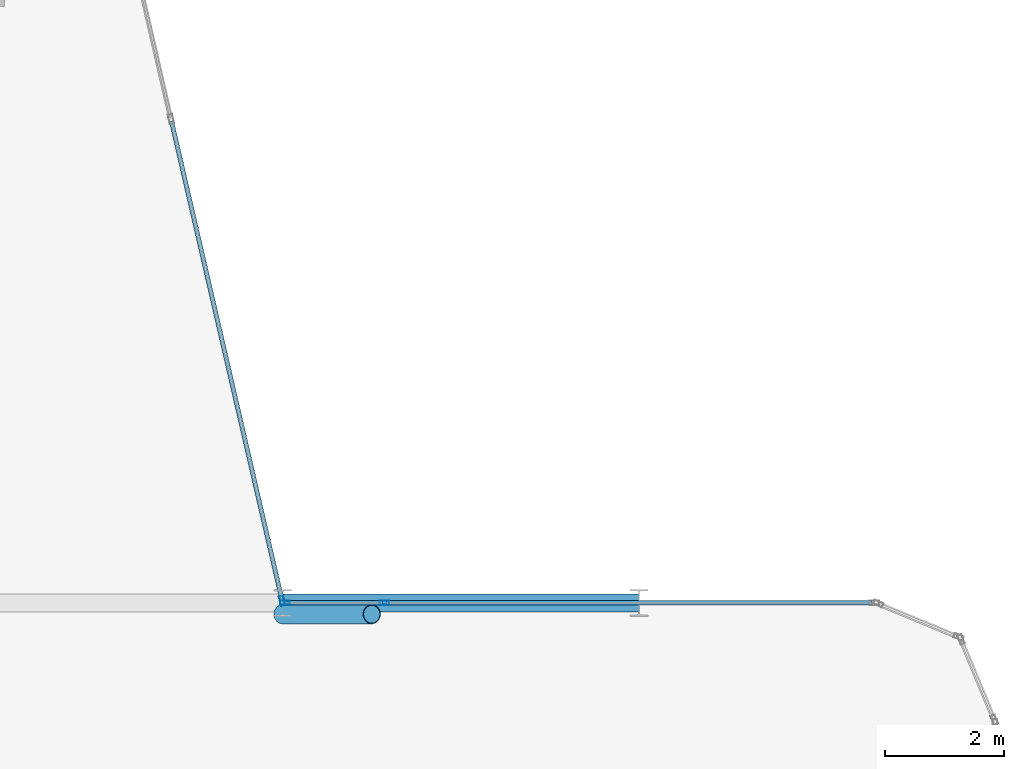
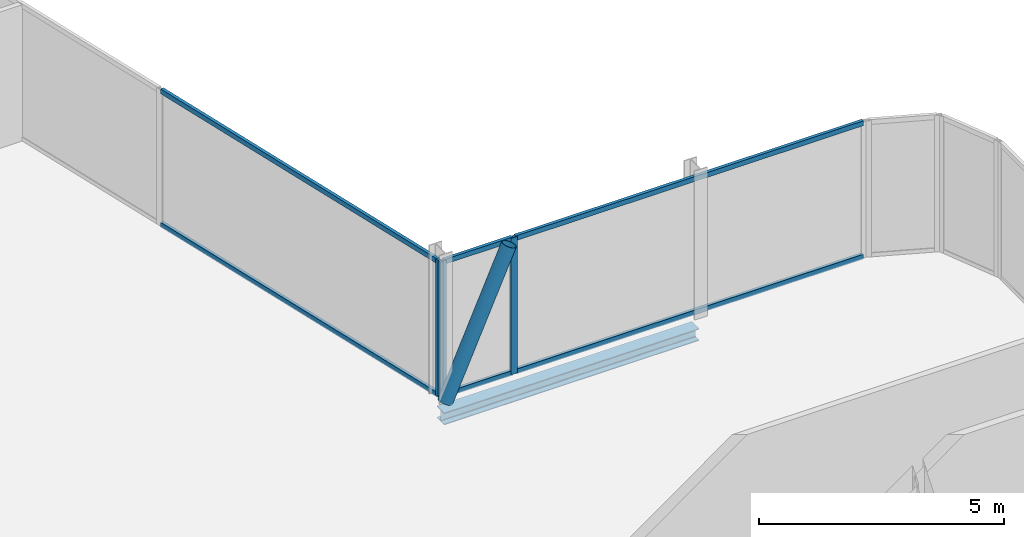
# One storey, part 14 of 29: 10 members, 1 beam, 3 elements without a shape of their own.
"""IFC4 building model written with IfcOpenShell, lengths in metres."""

from ifc_helpers import new_model, si_unit, direction, frame, origin, origin_2d, place, context, subcontext, project, spatial, hollow_rectangle, hollow_circle, i_section, extrude, material, layer, layer_set, material_profile, profile_set, type_object, element, aggregate, save


model = new_model("IFC4")

# Units and contexts
model_context = context("Model", 3, precision=1e-05, world=origin(), true_north=direction((0.0, 1.0)))
body_context = subcontext(model_context, "Body", "Model", "MODEL_VIEW")
ifc_project = project(units=[si_unit("LENGTHUNIT", "METRE"), si_unit("AREAUNIT", "SQUARE_METRE"), si_unit("VOLUMEUNIT", "CUBIC_METRE"), si_unit("PLANEANGLEUNIT", "RADIAN"), si_unit("MASSUNIT", "GRAM", prefix="KILO")], contexts=[model_context])

# Site, building, storey
site_placement = place(None, origin())
site = spatial("IfcSite", under=ifc_project, at=site_placement, CompositionType="ELEMENT")
building_placement = place(site_placement, origin())
building = spatial("IfcBuilding", under=site, at=building_placement, Name="Keshet Zoharim Tower", CompositionType="ELEMENT")
storey_placement = place(building_placement, frame((0.0, 0.0, 169.10009765625)))
storey = spatial("IfcBuildingStorey", under=building, at=storey_placement, Name="L41", CompositionType="ELEMENT", Elevation=169.10009765625)

# Beam
ifc_material_1 = material(Name="Steel S355", Category="steel")
ifc_material_profile_1 = material_profile(ifc_material_1, i_section(OverallWidth=0.300048828125, OverallDepth=0.300048828125, WebThickness=0.010986328125, FlangeThickness=0.01904296875, FilletRadius=0.027099609375, at=origin_2d()), Name="HEB300")
ifc_profile_set_1 = profile_set([ifc_material_profile_1], Name="Steel S355")
beam_type = type_object("IfcBeamType", Name="BM-PRI-HB300", PredefinedType="BEAM", material=ifc_profile_set_1)
beam_placement = place(storey_placement, frame((45.0, 27.89990234375, -0.460205078125), z_axis=(1.0, 0.0, 0.0), x_axis=(0.0, 1.0, 0.0)))
element("IfcBeam", 1, at=beam_placement, inside=storey, type_object=beam_type, Name="L41 Primary Girder X-016", PredefinedType="BEAM", context=body_context, shape_type="SweptSolid", body=[
    extrude(i_section(OverallWidth=0.300048828125, OverallDepth=0.300048828125, WebThickness=0.010986328125, FlangeThickness=0.01904296875, FilletRadius=0.027099609375, at=origin_2d()), origin(), (0.0, 0.0, 1.0), 6.0),
])

# Curtain wall, member
ifc_material_2 = material(Name="Aluminium 6063-T6", Category="aluminium")
ifc_layer = layer(ifc_material_2, 0.139892578125)
ifc_layer_set = layer_set([ifc_layer], Name="Aluminium 6063-T6")
curtain_wall_type = type_object("IfcCurtainWallType", Name="CW-SYS-05", PredefinedType="NOTDEFINED", material=ifc_layer_set)
curtain_wall_1_placement = place(storey_placement, origin())
curtain_wall_1 = element("IfcCurtainWall", 2, at=curtain_wall_1_placement, inside=storey, type_object=curtain_wall_type, Name="L41 Unitised Curtain Wall 19", PredefinedType="NOTDEFINED")
ifc_material_profile_2 = material_profile(ifc_material_2, hollow_rectangle(XDim=0.074951171875, YDim=0.159912109375, WallThickness=0.00390625, at=origin_2d()), Name="MUL-75x160")
ifc_profile_set_2 = profile_set([ifc_material_profile_2], Name="Aluminium 6063-T6")
member_type_1 = type_object("IfcMemberType", Name="CWM-M15", PredefinedType="MULLION", material=ifc_profile_set_2)
member_1_placement = place(storey_placement, frame((44.9921875, 27.93408203125, 0.0), z_axis=(0.0, 0.0, 1.0), x_axis=(0.974393882313, 0.224847864369, 0.0)))
member_1 = element("IfcMember", 3, at=member_1_placement, type_object=member_type_1, Name="CW-05 mullion 4", PredefinedType="MULLION", context=body_context, shape_type="SweptSolid", body=[
    extrude(hollow_rectangle(XDim=0.074951171875, YDim=0.159912109375, WallThickness=0.00390625, at=origin_2d()), origin(), (0.0, 0.0, 1.0), 3.389892578125),
])

# Curtain wall, members
curtain_wall_2_placement = place(storey_placement, origin())
curtain_wall_2 = element("IfcCurtainWall", 4, at=curtain_wall_2_placement, inside=storey, type_object=curtain_wall_type, Name="L41 Unitised Curtain Wall 20", PredefinedType="NOTDEFINED")
member_2_placement = place(storey_placement, frame((45.034912109375, 27.89990234375, 0.0), z_axis=(0.0, 0.0, 1.0), x_axis=(0.0, 1.0, 0.0)))
member_2 = element("IfcMember", 5, at=member_2_placement, type_object=member_type_1, Name="CW-05 mullion 1", PredefinedType="MULLION", context=body_context, shape_type="SweptSolid", body=[
    extrude(hollow_rectangle(XDim=0.074951171875, YDim=0.159912109375, WallThickness=0.00390625, at=origin_2d()), origin(), (0.0, 0.0, 1.0), 3.389892578125),
])
member_3_placement = place(storey_placement, frame((46.713134765625, 27.89990234375, 0.0), z_axis=(0.0, 0.0, 1.0), x_axis=(0.0, 1.0, 0.0)))
member_3 = element("IfcMember", 6, at=member_3_placement, type_object=member_type_1, Name="CW-05 mullion 2", PredefinedType="MULLION", context=body_context, shape_type="SweptSolid", body=[
    extrude(hollow_rectangle(XDim=0.074951171875, YDim=0.159912109375, WallThickness=0.00390625, at=origin_2d()), origin(), (0.0, 0.0, 1.0), 3.389892578125),
])

# Member
ifc_material_profile_3 = material_profile(ifc_material_2, hollow_rectangle(XDim=0.074951171875, YDim=0.1201171875, WallThickness=0.00390625, at=origin_2d()), Name="TRN-75x120")
ifc_profile_set_3 = profile_set([ifc_material_profile_3], Name="Aluminium 6063-T6")
member_type_2 = type_object("IfcMemberType", Name="CWT-T12", PredefinedType="USERDEFINED", material=ifc_profile_set_3)
member_4_placement = place(storey_placement, frame((43.127197265625, 36.015869140625, 0.034912109375), z_axis=(0.224863824467, -0.974390199277, 0.0), x_axis=(0.974390199277, 0.224863824467, 0.0)))
member_4 = element("IfcMember", 7, at=member_4_placement, type_object=member_type_2, Name="CW-05 transom 3.1", ObjectType="TRANSOM", PredefinedType="USERDEFINED", context=body_context, shape_type="SweptSolid", body=[
    extrude(hollow_rectangle(XDim=0.074951171875, YDim=0.1201171875, WallThickness=0.00390625, at=origin_2d()), origin(), (0.0, 0.0, 1.0), 8.259033203125),
])

member_5_placement = place(storey_placement, frame((43.127197265625, 36.015869140625, 3.35498046875), z_axis=(0.224863824467, -0.974390199277, 0.0), x_axis=(0.974390199277, 0.224863824467, 0.0)))
member_5 = element("IfcMember", 8, at=member_5_placement, type_object=member_type_2, Name="CW-05 transom 3.2", ObjectType="TRANSOM", PredefinedType="USERDEFINED", context=body_context, shape_type="SweptSolid", body=[
    extrude(hollow_rectangle(XDim=0.074951171875, YDim=0.1201171875, WallThickness=0.00390625, at=origin_2d()), origin(), (0.0, 0.0, 1.0), 8.259033203125),
])

aggregate(curtain_wall_1, [member_1, member_4, member_5])

member_6_placement = place(storey_placement, frame((45.070068359375, 27.89990234375, 0.034912109375), z_axis=(1.0, 0.0, 0.0), x_axis=(0.0, 1.0, 0.0)))
member_6 = element("IfcMember", 9, at=member_6_placement, type_object=member_type_2, Name="CW-05 transom 1.1", ObjectType="TRANSOM", PredefinedType="USERDEFINED", context=body_context, shape_type="SweptSolid", body=[
    extrude(hollow_rectangle(XDim=0.074951171875, YDim=0.1201171875, WallThickness=0.00390625, at=origin_2d()), origin(), (0.0, 0.0, 1.0), 1.60791015625),
])

member_7_placement = place(storey_placement, frame((45.070068359375, 27.89990234375, 3.35498046875), z_axis=(1.0, 0.0, 0.0), x_axis=(0.0, 1.0, 0.0)))
member_7 = element("IfcMember", 10, at=member_7_placement, type_object=member_type_2, Name="CW-05 transom 1.2", ObjectType="TRANSOM", PredefinedType="USERDEFINED", context=body_context, shape_type="SweptSolid", body=[
    extrude(hollow_rectangle(XDim=0.074951171875, YDim=0.1201171875, WallThickness=0.00390625, at=origin_2d()), origin(), (0.0, 0.0, 1.0), 1.60791015625),
])

aggregate(curtain_wall_2, [member_2, member_3, member_6, member_7])

# Curtain wall, members
curtain_wall_3_placement = place(storey_placement, origin())
curtain_wall_3 = element("IfcCurtainWall", 11, at=curtain_wall_3_placement, inside=storey, type_object=curtain_wall_type, Name="L41 Unitised Curtain Wall 20 Part 2", PredefinedType="NOTDEFINED")
member_8_placement = place(storey_placement, frame((46.748046875, 27.89990234375, 0.034912109375), z_axis=(1.0, 0.0, 0.0), x_axis=(0.0, 1.0, 0.0)))
member_8 = element("IfcMember", 12, at=member_8_placement, type_object=member_type_2, Name="CW-05 transom 1.1", ObjectType="TRANSOM", PredefinedType="USERDEFINED", context=body_context, shape_type="SweptSolid", body=[
    extrude(hollow_rectangle(XDim=0.074951171875, YDim=0.1201171875, WallThickness=0.00390625, at=origin_2d()), origin(), (0.0, 0.0, 1.0), 8.181884765625),
])
member_9_placement = place(storey_placement, frame((46.748046875, 27.89990234375, 3.35498046875), z_axis=(1.0, 0.0, 0.0), x_axis=(0.0, 1.0, 0.0)))
member_9 = element("IfcMember", 13, at=member_9_placement, type_object=member_type_2, Name="CW-05 transom 1.2", ObjectType="TRANSOM", PredefinedType="USERDEFINED", context=body_context, shape_type="SweptSolid", body=[
    extrude(hollow_rectangle(XDim=0.074951171875, YDim=0.1201171875, WallThickness=0.00390625, at=origin_2d()), origin(), (0.0, 0.0, 1.0), 8.181884765625),
])
aggregate(curtain_wall_3, [member_8, member_9])

# Member
ifc_material_profile_4 = material_profile(ifc_material_1, hollow_circle(Radius=0.161865234375, WallThickness=0.012451171875, at=origin_2d()), Name="CHS323x12.5")
ifc_profile_set_4 = profile_set([ifc_material_profile_4], Name="Steel S355")
member_type_3 = type_object("IfcMemberType", Name="MB-BR-C323", PredefinedType="BRACE", material=ifc_profile_set_4)
member_10_placement = place(storey_placement, frame((45.0, 27.7099609375, 0.0), z_axis=(0.40464689807, 0.0, 0.914473011019), x_axis=(0.0, 1.0, 0.0)))
element("IfcMember", 14, at=member_10_placement, inside=storey, type_object=member_type_3, Name="L41 Perimeter Tube Brace 04", PredefinedType="BRACE", context=body_context, shape_type="SweptSolid", body=[
    extrude(hollow_circle(Radius=0.161865234375, WallThickness=0.012451171875, at=origin_2d()), origin(), (0.0, 0.0, 1.0), 3.70703125),
])

save(model, "model.ifc")
